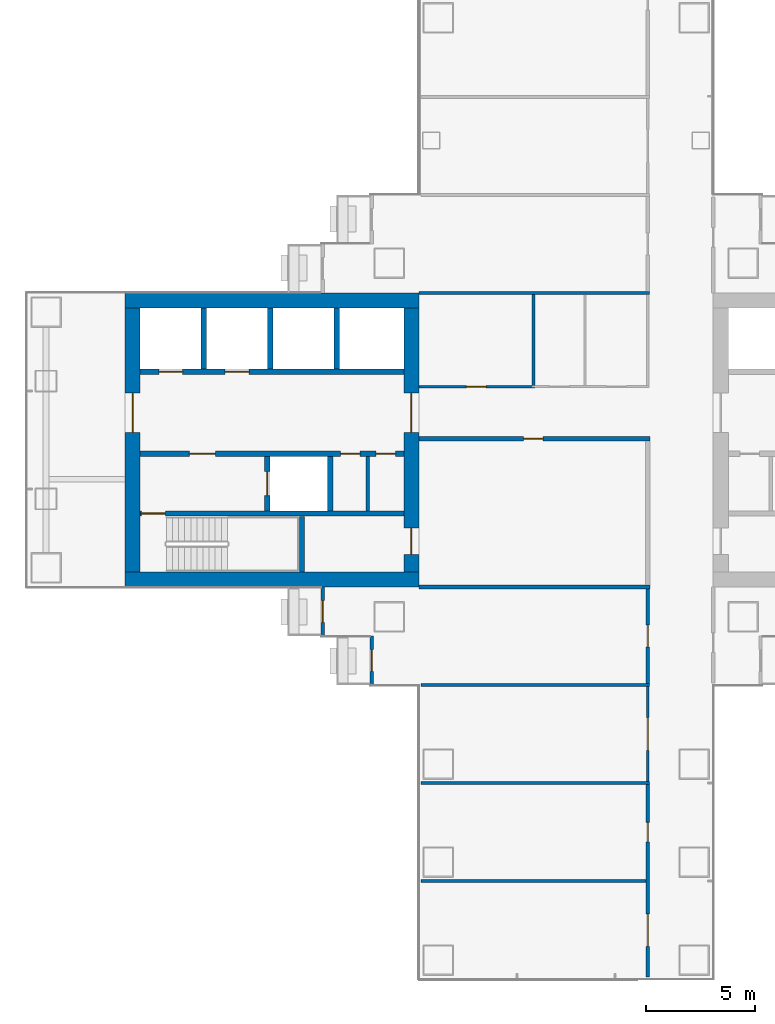
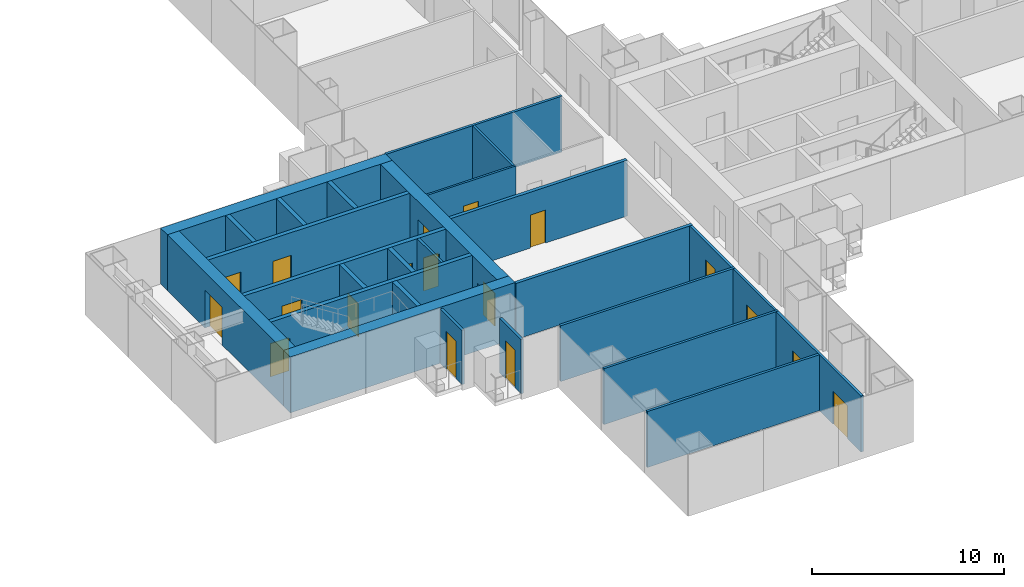
# One storey, part 15 of 21: 27 walls, 18 doors, 18 openings.
"""IFC4 building model written with IfcOpenShell, lengths in metres."""

from ifc_helpers import new_model, si_unit, direction, frame, frame_2d, origin, place, context, subcontext, project, spatial, rectangle, extrude, material, layer, layer_set, type_object, element, fill, save


model = new_model("IFC4")

# Units and contexts
model_context = context("Model", 3, precision=1e-05, world=origin(), true_north=direction((0.0, 1.0)))
body_context = subcontext(model_context, "Body", "Model", "MODEL_VIEW")
ifc_project = project(units=[si_unit("LENGTHUNIT", "METRE"), si_unit("AREAUNIT", "SQUARE_METRE"), si_unit("VOLUMEUNIT", "CUBIC_METRE"), si_unit("PLANEANGLEUNIT", "RADIAN"), si_unit("MASSUNIT", "GRAM", prefix="KILO")], contexts=[model_context])

# Site, building, storey
site_placement = place(None, origin())
site = spatial("IfcSite", under=ifc_project, at=site_placement, CompositionType="ELEMENT")
building_placement = place(site_placement, origin())
building = spatial("IfcBuilding", under=site, at=building_placement, Name="Shamsa Quay Exchange Towers", CompositionType="ELEMENT")
storey_placement = place(building_placement, frame((0.0, 0.0, 53.699951171875)))
storey = spatial("IfcBuildingStorey", under=building, at=storey_placement, Name="L11", CompositionType="ELEMENT", Elevation=53.699951171875)

# Wall, opening, door
ifc_material_1 = material(Name="Aluminium EN AW-6063 T6, black anodised, with black enamelled glass infill", Category="aluminium")
ifc_layer_1 = layer(ifc_material_1, 0.14990234375)
ifc_layer_set_1 = layer_set([ifc_layer_1], Name="BALCONY DOOR BAY WALL 150")
wall_type_1 = type_object("IfcWallType", Name="BALCONY DOOR BAY WALL 150", PredefinedType="SOLIDWALL", material=ifc_layer_set_1)
wall_1_placement = place(storey_placement, frame((22.574951171875, -9.0, 0.0), z_axis=(0.0, 0.0, 1.0), x_axis=(0.0, 1.0, 0.0)))
wall_1 = element("IfcWall", 1, at=wall_1_placement, inside=storey, type_object=wall_type_1, Name="Door bay T2-PKWN L11", PredefinedType="SOLIDWALL", context=body_context, shape_type="SweptSolid", body=[
    extrude(rectangle(XDim=2.257080078125, YDim=0.14990234375, at=frame_2d((1.12841796875, 0.0))), origin(), (0.0, 0.0, 1.0), 3.449951171875),
])
opening_1_placement = place(wall_1_placement, frame((0.625, 0.0, 0.0)))
opening_1 = element("IfcOpeningElement", 2, at=opening_1_placement, cuts=wall_1, Name="Opening XD069", PredefinedType="OPENING", context=body_context, shape_type="SweptSolid", body=[
    extrude(rectangle(XDim=1.0, YDim=2.39990234375, at=frame_2d((0.5, 1.199951171875))), frame((0.0, 0.0849609375, 0.0), z_axis=(0.0, -1.0, 0.0), x_axis=(1.0, 0.0, 0.0)), (0.0, 0.0, 1.0), 0.169921875),
])
ifc_material_2 = material(Name="Aluminium EN AW-6063 T6, black anodised, with laminated glass leaf", Category="aluminium")
door_type_1 = type_object("IfcDoorType", Name="BALCONY DOOR 1000x2400", OperationType="SINGLE_SWING_LEFT", PredefinedType="DOOR", material=ifc_material_2)
door_1_placement = place(opening_1_placement, origin())
door_1 = element("IfcDoor", 3, at=door_1_placement, inside=storey, type_object=door_type_1, Name="Balcony door T2-PKWN L11", OperationType="SINGLE_SWING_LEFT", OverallHeight=2.39990234375, OverallWidth=1.0, PredefinedType="DOOR", context=body_context, shape_type="SweptSolid", body=[
    extrude(rectangle(XDim=1.0, YDim=2.39990234375, at=frame_2d((0.5, 1.199951171875))), frame((0.0, 0.02490234375, 0.0), z_axis=(0.0, -1.0, 0.0), x_axis=(1.0, 0.0, 0.0)), (0.0, 0.0, 1.0), 0.050048828125),
])
fill(opening_1, door_1)

wall_2_placement = place(storey_placement, frame((24.824951171875, -11.25, 0.0), z_axis=(0.0, 0.0, 1.0), x_axis=(0.0, 1.0, 0.0)))
wall_2 = element("IfcWall", 4, at=wall_2_placement, inside=storey, type_object=wall_type_1, Name="Door bay T2-PKWN L11", PredefinedType="SOLIDWALL", context=body_context, shape_type="SweptSolid", body=[
    extrude(rectangle(XDim=2.25, YDim=0.14990234375, at=frame_2d((1.125, 0.0))), origin(), (0.0, 0.0, 1.0), 3.449951171875),
])
opening_2_placement = place(wall_2_placement, frame((0.625, 0.0, 0.0)))
opening_2 = element("IfcOpeningElement", 5, at=opening_2_placement, cuts=wall_2, Name="Opening XD070", PredefinedType="OPENING", context=body_context, shape_type="SweptSolid", body=[
    extrude(rectangle(XDim=1.0, YDim=2.39990234375, at=frame_2d((0.5, 1.199951171875))), frame((0.0, 0.0849609375, 0.0), z_axis=(0.0, -1.0, 0.0), x_axis=(1.0, 0.0, 0.0)), (0.0, 0.0, 1.0), 0.169921875),
])
door_2_placement = place(opening_2_placement, origin())
door_2 = element("IfcDoor", 6, at=door_2_placement, inside=storey, type_object=door_type_1, Name="Balcony door T2-PKWN L11", OperationType="SINGLE_SWING_RIGHT", OverallHeight=2.39990234375, OverallWidth=1.0, PredefinedType="DOOR", context=body_context, shape_type="SweptSolid", body=[
    extrude(rectangle(XDim=1.0, YDim=2.39990234375, at=frame_2d((0.5, 1.199951171875))), frame((0.0, 0.02490234375, 0.0), z_axis=(0.0, -1.0, 0.0), x_axis=(1.0, 0.0, 0.0)), (0.0, 0.0, 1.0), 0.050048828125),
])
fill(opening_2, door_2)

# Walls
ifc_material_3 = material(Name="Concrete C80/95", Category="concrete")
ifc_layer_2 = layer(ifc_material_3, 0.699951171875)
ifc_layer_set_2 = layer_set([ifc_layer_2], Name="CORE WALL 700 C80/95")
wall_type_2 = type_object("IfcWallType", Name="CORE WALL 700 C80/95", PredefinedType="SHEAR", material=ifc_layer_set_2)
for number, where, name in (
    (7, (13.5, -6.39990234375, 0.0), "Core wall T2A-R04-PS"),
    (8, (13.5, 6.39990234375, 0.0), "Core wall T2A-R04-PN"),
):
    element("IfcWall", number, at=place(storey_placement, frame(where)), inside=storey, type_object=wall_type_2, Name=name, PredefinedType="SHEAR", context=body_context, shape_type="SweptSolid", body=[
        extrude(rectangle(XDim=13.5, YDim=0.699951171875, at=frame_2d((6.75, 0.0))), origin(), (0.0, 0.0, 1.0), 3.550048828125),
    ])

# Wall, opening, door
wall_3_placement = place(storey_placement, frame((13.85009765625, 6.050048828125, 0.0), z_axis=(0.0, 0.0, 1.0), x_axis=(0.0, -1.0, 0.0)))
wall_3 = element("IfcWall", 9, at=wall_3_placement, inside=storey, type_object=wall_type_2, Name="Core wall T2A-R04-PF", PredefinedType="SHEAR", context=body_context, shape_type="SweptSolid", body=[
    extrude(rectangle(XDim=12.10009765625, YDim=0.699951171875, at=frame_2d((6.050048828125, 0.0))), origin(), (0.0, 0.0, 1.0), 3.550048828125),
])
opening_3_placement = place(wall_3_placement, frame((3.89990234375, 0.0, 0.0)))
opening_3 = element("IfcOpeningElement", 10, at=opening_3_placement, cuts=wall_3, Name="Opening T2A-R04-LBD01", PredefinedType="OPENING", context=body_context, shape_type="SweptSolid", body=[
    extrude(rectangle(XDim=1.800048828125, YDim=2.39990234375, at=frame_2d((0.89990234375, 1.199951171875))), frame((0.0, 0.35986328125, 0.0), z_axis=(0.0, -1.0, 0.0), x_axis=(1.0, 0.0, 0.0)), (0.0, 0.0, 1.0), 0.719970703125),
])
ifc_material_4 = material(Name="Steel, fire rated", Category="steel")
door_type_2 = type_object("IfcDoorType", Name="LIFT LOBBY DOOR PAIR 1800", OperationType="DOUBLE_DOOR_SINGLE_SWING", PredefinedType="DOOR", material=ifc_material_4)
door_3_placement = place(opening_3_placement, origin())
door_3 = element("IfcDoor", 11, at=door_3_placement, inside=storey, type_object=door_type_2, Name="T2A-R04-LBD01", OperationType="DOUBLE_DOOR_SINGLE_SWING", OverallHeight=2.39990234375, OverallWidth=1.800048828125, PredefinedType="DOOR", context=body_context, shape_type="SweptSolid", body=[
    extrude(rectangle(XDim=1.800048828125, YDim=2.39990234375, at=frame_2d((0.89990234375, 1.199951171875))), frame((0.0, 0.02490234375, 0.0), z_axis=(0.0, -1.0, 0.0), x_axis=(1.0, 0.0, 0.0)), (0.0, 0.0, 1.0), 0.050048828125),
])
fill(opening_3, door_3)

# Wall, openings, doors
wall_4_placement = place(storey_placement, frame((26.64990234375, 6.050048828125, 0.0), z_axis=(0.0, 0.0, 1.0), x_axis=(0.0, -1.0, 0.0)))
wall_4 = element("IfcWall", 12, at=wall_4_placement, inside=storey, type_object=wall_type_2, Name="Core wall T2A-R04-PB", PredefinedType="SHEAR", context=body_context, shape_type="SweptSolid", body=[
    extrude(rectangle(XDim=12.10009765625, YDim=0.699951171875, at=frame_2d((6.050048828125, 0.0))), origin(), (0.0, 0.0, 1.0), 3.550048828125),
])
opening_4_placement = place(wall_4_placement, frame((10.10009765625, 0.0, 0.0)))
opening_4 = element("IfcOpeningElement", 13, at=opening_4_placement, cuts=wall_4, Name="Opening T2A-R04-RD02", PredefinedType="OPENING", context=body_context, shape_type="SweptSolid", body=[
    extrude(rectangle(XDim=1.199951171875, YDim=2.10009765625, at=frame_2d((0.60009765625, 1.050048828125))), frame((0.0, 0.35986328125, 0.0), z_axis=(0.0, -1.0, 0.0), x_axis=(1.0, 0.0, 0.0)), (0.0, 0.0, 1.0), 0.719970703125),
])
opening_5_placement = place(wall_4_placement, frame((3.89990234375, 0.0, 0.0)))
opening_5 = element("IfcOpeningElement", 14, at=opening_5_placement, cuts=wall_4, Name="Opening T2A-R04-LBD03", PredefinedType="OPENING", context=body_context, shape_type="SweptSolid", body=[
    extrude(rectangle(XDim=1.800048828125, YDim=2.39990234375, at=frame_2d((0.89990234375, 1.199951171875))), frame((0.0, 0.35986328125, 0.0), z_axis=(0.0, -1.0, 0.0), x_axis=(1.0, 0.0, 0.0)), (0.0, 0.0, 1.0), 0.719970703125),
])
door_4_placement = place(opening_5_placement, origin())
door_4 = element("IfcDoor", 15, at=door_4_placement, inside=storey, type_object=door_type_2, Name="T2A-R04-LBD03", OperationType="DOUBLE_DOOR_SINGLE_SWING", OverallHeight=2.39990234375, OverallWidth=1.800048828125, PredefinedType="DOOR", context=body_context, shape_type="SweptSolid", body=[
    extrude(rectangle(XDim=1.800048828125, YDim=2.39990234375, at=frame_2d((0.89990234375, 1.199951171875))), frame((0.0, 0.02490234375, 0.0), z_axis=(0.0, -1.0, 0.0), x_axis=(1.0, 0.0, 0.0)), (0.0, 0.0, 1.0), 0.050048828125),
])
fill(opening_5, door_4)
door_type_3 = type_object("IfcDoorType", Name="RISER ACCESS DOOR 1200", OperationType="SINGLE_SWING_LEFT", PredefinedType="DOOR", material=ifc_material_4)
door_5_placement = place(opening_4_placement, origin())
door_5 = element("IfcDoor", 16, at=door_5_placement, inside=storey, type_object=door_type_3, Name="T2A-R04-RD02", OperationType="SINGLE_SWING_RIGHT", OverallHeight=2.10009765625, OverallWidth=1.199951171875, PredefinedType="DOOR", context=body_context, shape_type="SweptSolid", body=[
    extrude(rectangle(XDim=1.199951171875, YDim=2.10009765625, at=frame_2d((0.60009765625, 1.050048828125))), frame((0.0, 0.02490234375, 0.0), z_axis=(0.0, -1.0, 0.0), x_axis=(1.0, 0.0, 0.0)), (0.0, 0.0, 1.0), 0.050048828125),
])
fill(opening_4, door_5)

# Wall
ifc_material_5 = material(Name="Gypsum board on steel studs, EI 60", Category="steel")
ifc_layer_3 = layer(ifc_material_5, 0.14990234375)
ifc_layer_set_3 = layer_set([ifc_layer_3], Name="FIRE PARTITION 150")
wall_type_3 = type_object("IfcWallType", Name="FIRE PARTITION 150", PredefinedType="PARTITIONING", material=ifc_layer_set_3)
wall_5_placement = place(storey_placement, frame((24.64990234375, -3.25, 0.0), z_axis=(0.0, 0.0, 1.0), x_axis=(0.0, 1.0, 0.0)))
element("IfcWall", 17, at=wall_5_placement, inside=storey, type_object=wall_type_3, Name="Partition T2A-R04-EC0", PredefinedType="PARTITIONING", context=body_context, shape_type="SweptSolid", body=[
    extrude(rectangle(XDim=2.5, YDim=0.14990234375, at=frame_2d((1.25, 0.0))), origin(), (0.0, 0.0, 1.0), 3.550048828125),
])

# Wall, opening, door
ifc_material_6 = material(Name="Laminated fire-resisting glass in a metal frame", Category="glass")
ifc_layer_4 = layer(ifc_material_6, 0.125)
ifc_layer_set_4 = layer_set([ifc_layer_4], Name="Glazed partition 125 mm EI 60")
wall_type_4 = type_object("IfcWallType", Name="Glazed partition 125 mm EI 60", PredefinedType="PARTITIONING", material=ifc_layer_set_4)
wall_6_placement = place(storey_placement, frame((37.5, -15.675048828125, 0.0), z_axis=(0.0, 0.0, 1.0), x_axis=(0.0, 1.0, 0.0)))
wall_6 = element("IfcWall", 18, at=wall_6_placement, inside=storey, type_object=wall_type_4, Name="Partition T2-R04-W07", PredefinedType="PARTITIONING", context=body_context, shape_type="SweptSolid", body=[
    extrude(rectangle(XDim=4.35009765625, YDim=0.125, at=frame_2d((2.175048828125, 0.0))), origin(), (0.0, 0.0, 1.0), 3.550048828125),
])
opening_6_placement = place(wall_6_placement, frame((1.425048828125, 0.0, 0.0)))
opening_6 = element("IfcOpeningElement", 19, at=opening_6_placement, cuts=wall_6, Name="Opening T2-R04-D07", PredefinedType="OPENING", context=body_context, shape_type="SweptSolid", body=[
    extrude(rectangle(XDim=1.5, YDim=2.10009765625, at=frame_2d((0.75, 1.050048828125))), frame((0.0, 0.072509765625, 0.0), z_axis=(0.0, -1.0, 0.0), x_axis=(1.0, 0.0, 0.0)), (0.0, 0.0, 1.0), 0.14501953125),
])
ifc_material_7 = material(Name="Timber door leaf in a metal frame", Category="wood")
door_type_4 = type_object("IfcDoorType", Name="Door 1500x2100 FD30S pair", OperationType="NOTDEFINED", PredefinedType="DOOR", material=ifc_material_7)
door_6_placement = place(opening_6_placement, origin())
door_6 = element("IfcDoor", 20, at=door_6_placement, inside=storey, type_object=door_type_4, Name="Door T2-R04-D07", OperationType="DOUBLE_DOOR_SINGLE_SWING", OverallHeight=2.10009765625, OverallWidth=1.5, PredefinedType="DOOR", context=body_context, shape_type="SweptSolid", body=[
    extrude(rectangle(XDim=1.5, YDim=2.10009765625, at=frame_2d((0.75, 1.050048828125))), frame((0.0, 0.02490234375, 0.0), z_axis=(0.0, -1.0, 0.0), x_axis=(1.0, 0.0, 0.0)), (0.0, 0.0, 1.0), 0.050048828125),
])
fill(opening_6, door_6)

wall_7_placement = place(storey_placement, frame((27.0, 2.4501953125, 0.0)))
wall_7 = element("IfcWall", 21, at=wall_7_placement, inside=storey, type_object=wall_type_4, Name="Partition T2-R04-W10", PredefinedType="PARTITIONING", context=body_context, shape_type="SweptSolid", body=[
    extrude(rectangle(XDim=5.3125, YDim=0.125, at=frame_2d((2.65625, 0.0))), origin(), (0.0, 0.0, 1.0), 3.550048828125),
])
opening_7_placement = place(wall_7_placement, frame((2.175048828125, 0.0, 0.0)))
opening_7 = element("IfcOpeningElement", 22, at=opening_7_placement, cuts=wall_7, Name="Opening T2-R04-D15", PredefinedType="OPENING", context=body_context, shape_type="SweptSolid", body=[
    extrude(rectangle(XDim=0.89990234375, YDim=2.10009765625, at=frame_2d((0.449951171875, 1.050048828125))), frame((0.0, 0.072509765625, 0.0), z_axis=(0.0, -1.0, 0.0), x_axis=(1.0, 0.0, 0.0)), (0.0, 0.0, 1.0), 0.14501953125),
])
door_type_5 = type_object("IfcDoorType", Name="Door 900x2100 FD30S", OperationType="NOTDEFINED", PredefinedType="DOOR", material=ifc_material_7)
door_7_placement = place(opening_7_placement, origin())
door_7 = element("IfcDoor", 23, at=door_7_placement, inside=storey, type_object=door_type_5, Name="Door T2-R04-D15", OperationType="SINGLE_SWING_LEFT", OverallHeight=2.10009765625, OverallWidth=0.89990234375, PredefinedType="DOOR", context=body_context, shape_type="SweptSolid", body=[
    extrude(rectangle(XDim=0.89990234375, YDim=2.10009765625, at=frame_2d((0.449951171875, 1.050048828125))), frame((0.0, 0.02490234375, 0.0), z_axis=(0.0, -1.0, 0.0), x_axis=(1.0, 0.0, 0.0)), (0.0, 0.0, 1.0), 0.050048828125),
])
fill(opening_7, door_7)

# Wall
wall_8_placement = place(storey_placement, frame((32.25, 6.675048828125, 0.0), z_axis=(0.0, 0.0, 1.0), x_axis=(0.0, -1.0, 0.0)))
element("IfcWall", 24, at=wall_8_placement, inside=storey, type_object=wall_type_4, Name="Partition T2-R04-W22", PredefinedType="PARTITIONING", context=body_context, shape_type="SweptSolid", body=[
    extrude(rectangle(XDim=4.162353515625, YDim=0.125, at=frame_2d((2.0810546875, 0.0))), origin(), (0.0, 0.0, 1.0), 3.550048828125),
])

# Wall, opening, door
ifc_material_8 = material(Name="Gypsum board partition on metal studs")
ifc_layer_5 = layer(ifc_material_8, 0.14990234375)
ifc_layer_set_5 = layer_set([ifc_layer_5], Name="Partition 150 mm EI 60")
wall_type_5 = type_object("IfcWallType", Name="Partition 150 mm EI 60", PredefinedType="PARTITIONING", material=ifc_layer_set_5)
wall_9_placement = place(storey_placement, frame((37.5, -11.175048828125, 0.0), z_axis=(0.0, 0.0, 1.0), x_axis=(0.0, 1.0, 0.0)))
wall_9 = element("IfcWall", 25, at=wall_9_placement, inside=storey, type_object=wall_type_5, Name="Partition T2-R04-W03", PredefinedType="PARTITIONING", context=body_context, shape_type="SweptSolid", body=[
    extrude(rectangle(XDim=4.324951171875, YDim=0.14990234375, at=frame_2d((2.16259765625, 0.0))), origin(), (0.0, 0.0, 1.0), 3.550048828125),
])
opening_8_placement = place(wall_9_placement, frame((1.675048828125, 0.0, 0.0)))
opening_8 = element("IfcOpeningElement", 26, at=opening_8_placement, cuts=wall_9, Name="Opening T2-R04-D08", PredefinedType="OPENING", context=body_context, shape_type="SweptSolid", body=[
    extrude(rectangle(XDim=1.0, YDim=2.39990234375, at=frame_2d((0.5, 1.199951171875))), frame((0.0, 0.0849609375, 0.0), z_axis=(0.0, -1.0, 0.0), x_axis=(1.0, 0.0, 0.0)), (0.0, 0.0, 1.0), 0.169921875),
])
door_type_6 = type_object("IfcDoorType", Name="Door 1000x2400 FD30S", OperationType="NOTDEFINED", PredefinedType="DOOR", material=ifc_material_7)
door_8_placement = place(opening_8_placement, origin())
door_8 = element("IfcDoor", 27, at=door_8_placement, inside=storey, type_object=door_type_6, Name="Door T2-R04-D08", OperationType="SINGLE_SWING_RIGHT", OverallHeight=2.39990234375, OverallWidth=1.0, PredefinedType="DOOR", context=body_context, shape_type="SweptSolid", body=[
    extrude(rectangle(XDim=1.0, YDim=2.39990234375, at=frame_2d((0.5, 1.199951171875))), frame((0.0, 0.02490234375, 0.0), z_axis=(0.0, -1.0, 0.0), x_axis=(1.0, 0.0, 0.0)), (0.0, 0.0, 1.0), 0.050048828125),
])
fill(opening_8, door_8)

# Wall, openings, doors
wall_10_placement = place(storey_placement, frame((37.5, -24.655029296875, 0.0), z_axis=(0.0, 0.0, 1.0), x_axis=(0.0, 1.0, 0.0)))
wall_10 = element("IfcWall", 28, at=wall_10_placement, inside=storey, type_object=wall_type_5, Name="Partition T2-R04-W04", PredefinedType="PARTITIONING", context=body_context, shape_type="SweptSolid", body=[
    extrude(rectangle(XDim=8.830078125, YDim=0.14990234375, at=frame_2d((4.4150390625, 0.0))), origin(), (0.0, 0.0, 1.0), 3.550048828125),
])
opening_9_placement = place(wall_10_placement, frame((6.205078125, 0.0, 0.0)))
opening_9 = element("IfcOpeningElement", 29, at=opening_9_placement, cuts=wall_10, Name="Opening T2-R04-D05", PredefinedType="OPENING", context=body_context, shape_type="SweptSolid", body=[
    extrude(rectangle(XDim=0.89990234375, YDim=2.10009765625, at=frame_2d((0.449951171875, 1.050048828125))), frame((0.0, 0.0849609375, 0.0), z_axis=(0.0, -1.0, 0.0), x_axis=(1.0, 0.0, 0.0)), (0.0, 0.0, 1.0), 0.169921875),
])
opening_10_placement = place(wall_10_placement, frame((1.405029296875, 0.0, 0.0)))
opening_10 = element("IfcOpeningElement", 30, at=opening_10_placement, cuts=wall_10, Name="Opening T2-R04-D06", PredefinedType="OPENING", context=body_context, shape_type="SweptSolid", body=[
    extrude(rectangle(XDim=1.5, YDim=2.10009765625, at=frame_2d((0.75, 1.050048828125))), frame((0.0, 0.0849609375, 0.0), z_axis=(0.0, -1.0, 0.0), x_axis=(1.0, 0.0, 0.0)), (0.0, 0.0, 1.0), 0.169921875),
])
door_9_placement = place(opening_10_placement, origin())
door_9 = element("IfcDoor", 31, at=door_9_placement, inside=storey, type_object=door_type_4, Name="Door T2-R04-D06", OperationType="DOUBLE_DOOR_SINGLE_SWING", OverallHeight=2.10009765625, OverallWidth=1.5, PredefinedType="DOOR", context=body_context, shape_type="SweptSolid", body=[
    extrude(rectangle(XDim=1.5, YDim=2.10009765625, at=frame_2d((0.75, 1.050048828125))), frame((0.0, 0.02490234375, 0.0), z_axis=(0.0, -1.0, 0.0), x_axis=(1.0, 0.0, 0.0)), (0.0, 0.0, 1.0), 0.050048828125),
])
fill(opening_10, door_9)
door_10_placement = place(opening_9_placement, origin())
door_10 = element("IfcDoor", 32, at=door_10_placement, inside=storey, type_object=door_type_5, Name="Door T2-R04-D05", OperationType="SINGLE_SWING_LEFT", OverallHeight=2.10009765625, OverallWidth=0.89990234375, PredefinedType="DOOR", context=body_context, shape_type="SweptSolid", body=[
    extrude(rectangle(XDim=0.89990234375, YDim=2.10009765625, at=frame_2d((0.449951171875, 1.050048828125))), frame((0.0, 0.02490234375, 0.0), z_axis=(0.0, -1.0, 0.0), x_axis=(1.0, 0.0, 0.0)), (0.0, 0.0, 1.0), 0.050048828125),
])
fill(opening_9, door_10)

# Walls
wall_11_placement = place(storey_placement, frame((27.0, 6.75, 0.0)))
element("IfcWall", 33, at=wall_11_placement, inside=storey, type_object=wall_type_5, Name="Partition T2-R04-W18", PredefinedType="PARTITIONING", context=body_context, shape_type="SweptSolid", body=[
    extrude(rectangle(XDim=10.574951171875, YDim=0.14990234375, at=frame_2d((5.28759765625, 0.0))), origin(), (0.0, 0.0, 1.0), 3.550048828125),
])
for number, where, name in (
    (34, (27.094970703125, -11.25, 0.0), "Partition T2-R04-W23"),
    (35, (27.094970703125, -15.75, 0.0), "Partition T2-R04-W25"),
):
    element("IfcWall", number, at=place(storey_placement, frame(where)), inside=storey, type_object=wall_type_5, Name=name, PredefinedType="PARTITIONING", context=body_context, shape_type="SweptSolid", body=[
        extrude(rectangle(XDim=10.47998046875, YDim=0.14990234375, at=frame_2d((5.239990234375, 0.0))), origin(), (0.0, 0.0, 1.0), 3.550048828125),
    ])
wall_12_placement = place(storey_placement, frame((27.094970703125, -20.25, 0.0)))
element("IfcWall", 36, at=wall_12_placement, inside=storey, type_object=wall_type_5, Name="Partition T2-R04-W26", PredefinedType="PARTITIONING", context=body_context, shape_type="SweptSolid", body=[
    extrude(rectangle(XDim=10.330078125, YDim=0.14990234375, at=frame_2d((5.1650390625, 0.0))), origin(), (0.0, 0.0, 1.0), 3.550048828125),
])

# Wall, opening, door
ifc_layer_6 = layer(ifc_material_8, 0.199951171875)
ifc_layer_set_6 = layer_set([ifc_layer_6], Name="Partition 200 mm EI 120")
wall_type_6 = type_object("IfcWallType", Name="Partition 200 mm EI 120", PredefinedType="PARTITIONING", material=ifc_layer_set_6)
wall_13_placement = place(storey_placement, frame((37.60009765625, 0.0498046875, 0.0), z_axis=(0.0, 0.0, 1.0), x_axis=(-1.0, 0.0, 0.0)))
wall_13 = element("IfcWall", 37, at=wall_13_placement, inside=storey, type_object=wall_type_6, Name="Partition T2-R04-W11", PredefinedType="PARTITIONING", context=body_context, shape_type="SweptSolid", body=[
    extrude(rectangle(XDim=10.60009765625, YDim=0.199951171875, at=frame_2d((5.300048828125, 0.0))), origin(), (0.0, 0.0, 1.0), 3.550048828125),
])
opening_11_placement = place(wall_13_placement, frame((4.89990234375, 0.0, 0.0)))
opening_11 = element("IfcOpeningElement", 38, at=opening_11_placement, cuts=wall_13, Name="Opening T2-R04-D16", PredefinedType="OPENING", context=body_context, shape_type="SweptSolid", body=[
    extrude(rectangle(XDim=0.89990234375, YDim=2.10009765625, at=frame_2d((0.449951171875, 1.050048828125))), frame((0.0, 0.10986328125, 0.0), z_axis=(0.0, -1.0, 0.0), x_axis=(1.0, 0.0, 0.0)), (0.0, 0.0, 1.0), 0.219970703125),
])
door_type_7 = type_object("IfcDoorType", Name="Door 900x2100 FD60", OperationType="NOTDEFINED", PredefinedType="DOOR", material=ifc_material_7)
door_11_placement = place(opening_11_placement, origin())
door_11 = element("IfcDoor", 39, at=door_11_placement, inside=storey, type_object=door_type_7, Name="Door T2-R04-D16", OperationType="SINGLE_SWING_RIGHT", OverallHeight=2.10009765625, OverallWidth=0.89990234375, PredefinedType="DOOR", context=body_context, shape_type="SweptSolid", body=[
    extrude(rectangle(XDim=0.89990234375, YDim=2.10009765625, at=frame_2d((0.449951171875, 1.050048828125))), frame((0.0, 0.02490234375, 0.0), z_axis=(0.0, -1.0, 0.0), x_axis=(1.0, 0.0, 0.0)), (0.0, 0.0, 1.0), 0.050048828125),
])
fill(opening_11, door_11)

# Wall
wall_14_placement = place(storey_placement, frame((37.60009765625, -6.75, 0.0), z_axis=(0.0, 0.0, 1.0), x_axis=(-1.0, 0.0, 0.0)))
element("IfcWall", 40, at=wall_14_placement, inside=storey, type_object=wall_type_6, Name="Partition T2-R04-W24", PredefinedType="PARTITIONING", context=body_context, shape_type="SweptSolid", body=[
    extrude(rectangle(XDim=10.60009765625, YDim=0.199951171875, at=frame_2d((5.300048828125, 0.0))), origin(), (0.0, 0.0, 1.0), 3.550048828125),
])

# Wall, opening, door
ifc_material_9 = material(Name="Concrete C50/60", Category="concrete")
ifc_layer_7 = layer(ifc_material_9, 0.25)
ifc_layer_set_7 = layer_set([ifc_layer_7], Name="SHAFT WALL 250 C50/60")
wall_type_7 = type_object("IfcWallType", Name="SHAFT WALL 250 C50/60", PredefinedType="SHEAR", material=ifc_layer_set_7)
wall_15_placement = place(storey_placement, frame((26.300048828125, -3.375, 0.0), z_axis=(0.0, 0.0, 1.0), x_axis=(-1.0, 0.0, 0.0)))
wall_15 = element("IfcWall", 41, at=wall_15_placement, inside=storey, type_object=wall_type_7, Name="Shaft wall T2A-R04-STL", PredefinedType="SHEAR", context=body_context, shape_type="SweptSolid", body=[
    extrude(rectangle(XDim=12.10009765625, YDim=0.25, at=frame_2d((6.050048828125, 0.0))), origin(), (0.0, 0.0, 1.0), 3.550048828125),
])
opening_12_placement = place(wall_15_placement, frame((10.949951171875, 0.0, 0.0)))
opening_12 = element("IfcOpeningElement", 42, at=opening_12_placement, cuts=wall_15, Name="Opening T2A-R04-SD04", PredefinedType="OPENING", context=body_context, shape_type="SweptSolid", body=[
    extrude(rectangle(XDim=1.10009765625, YDim=2.10009765625, at=frame_2d((0.550048828125, 1.050048828125))), frame((0.0, 0.135009765625, 0.0), z_axis=(0.0, -1.0, 0.0), x_axis=(1.0, 0.0, 0.0)), (0.0, 0.0, 1.0), 0.27001953125),
])
door_type_8 = type_object("IfcDoorType", Name="STAIR DOOR 1100", OperationType="SINGLE_SWING_LEFT", PredefinedType="DOOR", material=ifc_material_4)
door_12_placement = place(opening_12_placement, origin())
door_12 = element("IfcDoor", 43, at=door_12_placement, inside=storey, type_object=door_type_8, Name="T2A-R04-SD04", OperationType="SINGLE_SWING_RIGHT", OverallHeight=2.10009765625, OverallWidth=1.10009765625, PredefinedType="DOOR", context=body_context, shape_type="SweptSolid", body=[
    extrude(rectangle(XDim=1.10009765625, YDim=2.10009765625, at=frame_2d((0.550048828125, 1.050048828125))), frame((0.0, 0.02490234375, 0.0), z_axis=(0.0, -1.0, 0.0), x_axis=(1.0, 0.0, 0.0)), (0.0, 0.0, 1.0), 0.050048828125),
])
fill(opening_12, door_12)

# Wall
wall_16_placement = place(storey_placement, frame((21.625, -6.050048828125, 0.0), z_axis=(0.0, 0.0, 1.0), x_axis=(0.0, 1.0, 0.0)))
element("IfcWall", 44, at=wall_16_placement, inside=storey, type_object=wall_type_7, Name="Shaft wall T2A-R04-STF", PredefinedType="SHEAR", context=body_context, shape_type="SweptSolid", body=[
    extrude(rectangle(XDim=2.550048828125, YDim=0.25, at=frame_2d((1.27490234375, 0.0))), origin(), (0.0, 0.0, 1.0), 3.550048828125),
])

# Wall, openings, doors
wall_17_placement = place(storey_placement, frame((26.300048828125, -0.625, 0.0), z_axis=(0.0, 0.0, 1.0), x_axis=(-1.0, 0.0, 0.0)))
wall_17 = element("IfcWall", 45, at=wall_17_placement, inside=storey, type_object=wall_type_7, Name="Shaft wall T2A-R04-B", PredefinedType="SHEAR", context=body_context, shape_type="SweptSolid", body=[
    extrude(rectangle(XDim=12.10009765625, YDim=0.25, at=frame_2d((6.050048828125, 0.0))), origin(), (0.0, 0.0, 1.0), 3.550048828125),
])
opening_13_placement = place(wall_17_placement, frame((8.64990234375, 0.0, 0.0)))
opening_13 = element("IfcOpeningElement", 46, at=opening_13_placement, cuts=wall_17, Name="Opening T2A-R04-FD05", PredefinedType="OPENING", context=body_context, shape_type="SweptSolid", body=[
    extrude(rectangle(XDim=1.199951171875, YDim=2.10009765625, at=frame_2d((0.60009765625, 1.050048828125))), frame((0.0, 0.135009765625, 0.0), z_axis=(0.0, -1.0, 0.0), x_axis=(1.0, 0.0, 0.0)), (0.0, 0.0, 1.0), 0.27001953125),
])
opening_14_placement = place(wall_17_placement, frame((2.0, 0.0, 0.0)))
opening_14 = element("IfcOpeningElement", 47, at=opening_14_placement, cuts=wall_17, Name="Opening T2A-R04-SV06", PredefinedType="OPENING", context=body_context, shape_type="SweptSolid", body=[
    extrude(rectangle(XDim=0.89990234375, YDim=2.10009765625, at=frame_2d((0.449951171875, 1.050048828125))), frame((0.0, 0.135009765625, 0.0), z_axis=(0.0, -1.0, 0.0), x_axis=(1.0, 0.0, 0.0)), (0.0, 0.0, 1.0), 0.27001953125),
])
opening_15_placement = place(wall_17_placement, frame((0.375, 0.0, 0.0)))
opening_15 = element("IfcOpeningElement", 48, at=opening_15_placement, cuts=wall_17, Name="Opening T2A-R04-SV07", PredefinedType="OPENING", context=body_context, shape_type="SweptSolid", body=[
    extrude(rectangle(XDim=0.89990234375, YDim=2.10009765625, at=frame_2d((0.449951171875, 1.050048828125))), frame((0.0, 0.135009765625, 0.0), z_axis=(0.0, -1.0, 0.0), x_axis=(1.0, 0.0, 0.0)), (0.0, 0.0, 1.0), 0.27001953125),
])
door_type_9 = type_object("IfcDoorType", Name="FIRE SERVICE LOBBY DOOR 1200", OperationType="SINGLE_SWING_LEFT", PredefinedType="DOOR", material=ifc_material_4)
door_13_placement = place(opening_13_placement, origin())
door_13 = element("IfcDoor", 49, at=door_13_placement, inside=storey, type_object=door_type_9, Name="T2A-R04-FD05", OperationType="SINGLE_SWING_RIGHT", OverallHeight=2.10009765625, OverallWidth=1.199951171875, PredefinedType="DOOR", context=body_context, shape_type="SweptSolid", body=[
    extrude(rectangle(XDim=1.199951171875, YDim=2.10009765625, at=frame_2d((0.60009765625, 1.050048828125))), frame((0.0, 0.02490234375, 0.0), z_axis=(0.0, -1.0, 0.0), x_axis=(1.0, 0.0, 0.0)), (0.0, 0.0, 1.0), 0.050048828125),
])
fill(opening_13, door_13)
door_type_10 = type_object("IfcDoorType", Name="SERVICE ROOM DOOR 900", OperationType="SINGLE_SWING_LEFT", PredefinedType="DOOR", material=ifc_material_4)
door_14_placement = place(opening_14_placement, origin())
door_14 = element("IfcDoor", 50, at=door_14_placement, inside=storey, type_object=door_type_10, Name="T2A-R04-SV06", OperationType="SINGLE_SWING_LEFT", OverallHeight=2.10009765625, OverallWidth=0.89990234375, PredefinedType="DOOR", context=body_context, shape_type="SweptSolid", body=[
    extrude(rectangle(XDim=0.89990234375, YDim=2.10009765625, at=frame_2d((0.449951171875, 1.050048828125))), frame((0.0, 0.02490234375, 0.0), z_axis=(0.0, -1.0, 0.0), x_axis=(1.0, 0.0, 0.0)), (0.0, 0.0, 1.0), 0.050048828125),
])
fill(opening_14, door_14)
door_15_placement = place(opening_15_placement, origin())
door_15 = element("IfcDoor", 51, at=door_15_placement, inside=storey, type_object=door_type_10, Name="T2A-R04-SV07", OperationType="SINGLE_SWING_LEFT", OverallHeight=2.10009765625, OverallWidth=0.89990234375, PredefinedType="DOOR", context=body_context, shape_type="SweptSolid", body=[
    extrude(rectangle(XDim=0.89990234375, YDim=2.10009765625, at=frame_2d((0.449951171875, 1.050048828125))), frame((0.0, 0.02490234375, 0.0), z_axis=(0.0, -1.0, 0.0), x_axis=(1.0, 0.0, 0.0)), (0.0, 0.0, 1.0), 0.050048828125),
])
fill(opening_15, door_15)

# Wall, opening, door
wall_18_placement = place(storey_placement, frame((20.02490234375, -3.25, 0.0), z_axis=(0.0, 0.0, 1.0), x_axis=(0.0, 1.0, 0.0)))
wall_18 = element("IfcWall", 52, at=wall_18_placement, inside=storey, type_object=wall_type_7, Name="Shaft wall T2A-R04-FFF", PredefinedType="SHEAR", context=body_context, shape_type="SweptSolid", body=[
    extrude(rectangle(XDim=2.5, YDim=0.25, at=frame_2d((1.25, 0.0))), origin(), (0.0, 0.0, 1.0), 3.550048828125),
])
opening_16_placement = place(wall_18_placement, frame((0.699951171875, 0.0, 0.0)))
opening_16 = element("IfcOpeningElement", 53, at=opening_16_placement, cuts=wall_18, Name="Opening T2A-R04-LDF08", PredefinedType="OPENING", context=body_context, shape_type="SweptSolid", body=[
    extrude(rectangle(XDim=1.10009765625, YDim=2.10009765625, at=frame_2d((0.550048828125, 1.050048828125))), frame((0.0, 0.135009765625, 0.0), z_axis=(0.0, -1.0, 0.0), x_axis=(1.0, 0.0, 0.0)), (0.0, 0.0, 1.0), 0.27001953125),
])
door_type_11 = type_object("IfcDoorType", Name="FIRE SERVICE LANDING DOOR 1100", OperationType="SLIDING_TO_LEFT", PredefinedType="DOOR", material=ifc_material_4)
door_16_placement = place(opening_16_placement, origin())
door_16 = element("IfcDoor", 54, at=door_16_placement, inside=storey, type_object=door_type_11, Name="T2A-R04-LDF08", OperationType="SLIDING_TO_LEFT", OverallHeight=2.10009765625, OverallWidth=1.10009765625, PredefinedType="DOOR", context=body_context, shape_type="SweptSolid", body=[
    extrude(rectangle(XDim=1.10009765625, YDim=2.10009765625, at=frame_2d((0.550048828125, 1.050048828125))), frame((0.0, 0.02490234375, 0.0), z_axis=(0.0, -1.0, 0.0), x_axis=(1.0, 0.0, 0.0)), (0.0, 0.0, 1.0), 0.050048828125),
])
fill(opening_16, door_16)

# Wall
wall_19_placement = place(storey_placement, frame((22.925048828125, -3.25, 0.0), z_axis=(0.0, 0.0, 1.0), x_axis=(0.0, 1.0, 0.0)))
element("IfcWall", 55, at=wall_19_placement, inside=storey, type_object=wall_type_7, Name="Shaft wall T2A-R04-FFB", PredefinedType="SHEAR", context=body_context, shape_type="SweptSolid", body=[
    extrude(rectangle(XDim=2.5, YDim=0.25, at=frame_2d((1.25, 0.0))), origin(), (0.0, 0.0, 1.0), 3.550048828125),
])

# Wall, openings, doors
wall_20_placement = place(storey_placement, frame((14.199951171875, 3.125, 0.0)))
wall_20 = element("IfcWall", 56, at=wall_20_placement, inside=storey, type_object=wall_type_7, Name="Shaft wall T2A-R04-N", PredefinedType="SHEAR", context=body_context, shape_type="SweptSolid", body=[
    extrude(rectangle(XDim=12.10009765625, YDim=0.25, at=frame_2d((6.050048828125, 0.0))), origin(), (0.0, 0.0, 1.0), 3.550048828125),
])
opening_17_placement = place(wall_20_placement, frame((0.85009765625, 0.0, 0.0)))
opening_17 = element("IfcOpeningElement", 57, at=opening_17_placement, cuts=wall_20, Name="Opening T2A-R04-LD09", PredefinedType="OPENING", context=body_context, shape_type="SweptSolid", body=[
    extrude(rectangle(XDim=1.10009765625, YDim=2.10009765625, at=frame_2d((0.550048828125, 1.050048828125))), frame((0.0, 0.135009765625, 0.0), z_axis=(0.0, -1.0, 0.0), x_axis=(1.0, 0.0, 0.0)), (0.0, 0.0, 1.0), 0.27001953125),
])
opening_18_placement = place(wall_20_placement, frame((3.89990234375, 0.0, 0.0)))
opening_18 = element("IfcOpeningElement", 58, at=opening_18_placement, cuts=wall_20, Name="Opening T2A-R04-LD10", PredefinedType="OPENING", context=body_context, shape_type="SweptSolid", body=[
    extrude(rectangle(XDim=1.10009765625, YDim=2.10009765625, at=frame_2d((0.550048828125, 1.050048828125))), frame((0.0, 0.135009765625, 0.0), z_axis=(0.0, -1.0, 0.0), x_axis=(1.0, 0.0, 0.0)), (0.0, 0.0, 1.0), 0.27001953125),
])
door_type_12 = type_object("IfcDoorType", Name="LANDING DOOR 1100", OperationType="SLIDING_TO_LEFT", PredefinedType="DOOR", material=ifc_material_4)
door_17_placement = place(opening_17_placement, origin())
door_17 = element("IfcDoor", 59, at=door_17_placement, inside=storey, type_object=door_type_12, Name="T2A-R04-LD09", OperationType="SLIDING_TO_LEFT", OverallHeight=2.10009765625, OverallWidth=1.10009765625, PredefinedType="DOOR", context=body_context, shape_type="SweptSolid", body=[
    extrude(rectangle(XDim=1.10009765625, YDim=2.10009765625, at=frame_2d((0.550048828125, 1.050048828125))), frame((0.0, 0.02490234375, 0.0), z_axis=(0.0, -1.0, 0.0), x_axis=(1.0, 0.0, 0.0)), (0.0, 0.0, 1.0), 0.050048828125),
])
fill(opening_17, door_17)
door_18_placement = place(opening_18_placement, origin())
door_18 = element("IfcDoor", 60, at=door_18_placement, inside=storey, type_object=door_type_12, Name="T2A-R04-LD10", OperationType="SLIDING_TO_LEFT", OverallHeight=2.10009765625, OverallWidth=1.10009765625, PredefinedType="DOOR", context=body_context, shape_type="SweptSolid", body=[
    extrude(rectangle(XDim=1.10009765625, YDim=2.10009765625, at=frame_2d((0.550048828125, 1.050048828125))), frame((0.0, 0.02490234375, 0.0), z_axis=(0.0, -1.0, 0.0), x_axis=(1.0, 0.0, 0.0)), (0.0, 0.0, 1.0), 0.050048828125),
])
fill(opening_18, door_18)

# Walls
for number, where, z_axis, x_axis, name in (
    (61, (17.125, 3.25, 0.0), (0.0, 0.0, 1.0), (0.0, 1.0, 0.0), "Shaft wall T2A-R04-D0"),
    (62, (20.175048828125, 3.25, 0.0), (0.0, 0.0, 1.0), (0.0, 1.0, 0.0), "Shaft wall T2A-R04-D1"),
    (63, (23.22509765625, 3.25, 0.0), (0.0, 0.0, 1.0), (0.0, 1.0, 0.0), "Shaft wall T2A-R04-D2"),
):
    element("IfcWall", number, at=place(storey_placement, frame(where, z_axis=z_axis, x_axis=x_axis)), inside=storey, type_object=wall_type_7, Name=name, PredefinedType="SHEAR", context=body_context, shape_type="SweptSolid", body=[
        extrude(rectangle(XDim=2.800048828125, YDim=0.25, at=frame_2d((1.39990234375, 0.0))), origin(), (0.0, 0.0, 1.0), 3.550048828125),
    ])

save(model, "model.ifc")
